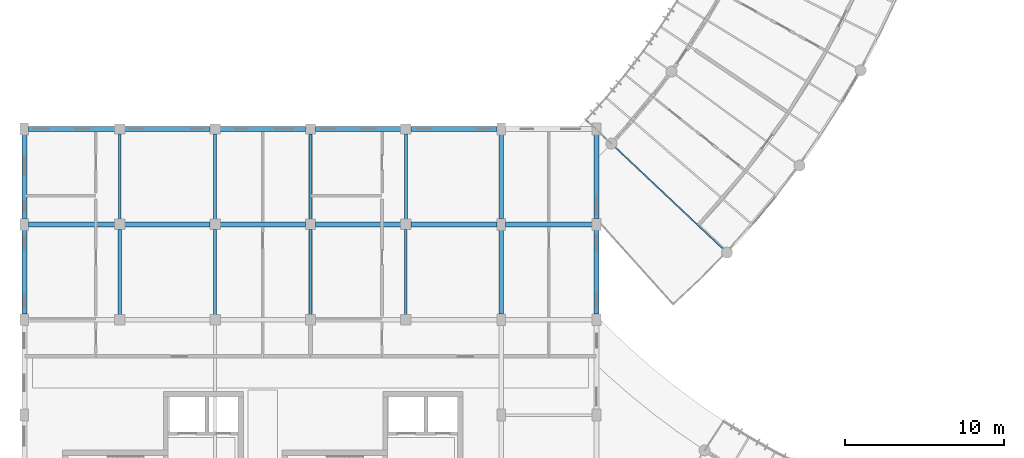
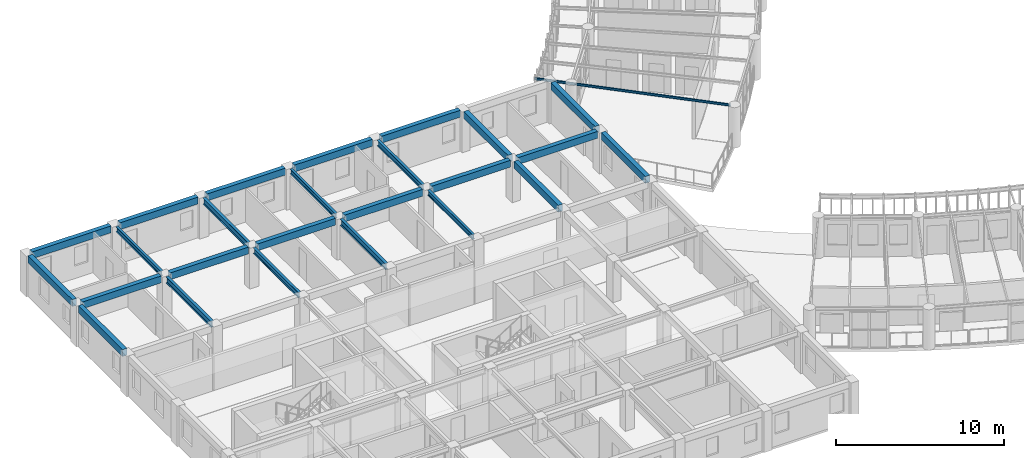
# One storey, part 9 of 100: 26 beams.
"""IFC4 building model written with IfcOpenShell, lengths in metres."""

import ifcopenshell
import ifcopenshell.guid

model = None  # the IFC model being written
_history = None  # IfcOwnerHistory: only IFC2X3 demands one
_inside = {}  # id of a spatial element -> (the spatial element, [elements in it])
_under = {}  # id of a project, library or spatial element -> (it, [spatial elements below it])
_declared = {}  # id of a project -> (the project, [libraries it declares])
_typed = {}  # id of a type object -> (the type object, [elements of that type])
_made_of = {}  # id of a material, layer set ... -> (it, [elements and type objects made of it])


def new_model(schema):
    """Start an empty IFC model of exactly this schema.

    Asked for "IFC4X3", IfcOpenShell would pick the latest addendum, in which some entities
    have other attributes; the version numbers below select the first issue.
    IFC2X3 requires an IfcOwnerHistory on every rooted entity: one is made here for all.
    """
    global model, _history
    if schema == "IFC4X3":
        model = ifcopenshell.file(schema_version=(4, 3, 0, 0))
    else:
        model = ifcopenshell.file(schema=schema)
    _inside.clear()
    _under.clear()
    _declared.clear()
    _typed.clear()
    _made_of.clear()
    _history = None
    if model.schema == "IFC2X3":
        org = make("IfcOrganization", Name="unknown")
        user = make(
            "IfcPersonAndOrganization",
            ThePerson=make("IfcPerson", FamilyName="unknown"),
            TheOrganization=org,
        )
        app = make(
            "IfcApplication",
            ApplicationDeveloper=org,
            Version="unknown",
            ApplicationFullName="unknown",
            ApplicationIdentifier="unknown",
        )
        _history = make(
            "IfcOwnerHistory",
            OwningUser=user,
            OwningApplication=app,
            ChangeAction="ADDED",
            CreationDate=0,
        )
    return model


def make(cls, **values):
    """One entity of the class cls with the attributes given. An attribute that is None is left unset."""
    return model.create_entity(
        cls, **{name: value for name, value in values.items() if value is not None}
    )


def rooted(cls, **values):
    """An entity with a GlobalId (a new one), such as an element, a storey or a relation."""
    return make(cls, GlobalId=ifcopenshell.guid.new(), OwnerHistory=_history, **values)


def si_unit(unit_type, name, prefix=None):
    """IfcSIUnit, for example si_unit("LENGTHUNIT", "METRE", prefix="MILLI")."""
    return make("IfcSIUnit", UnitType=unit_type, Prefix=prefix, Name=name)


def assignment(units):
    """IfcUnitAssignment: the units of a project."""
    return None if units is None else make("IfcUnitAssignment", Units=units)


def point(xyz):
    """IfcCartesianPoint."""
    return None if xyz is None else make("IfcCartesianPoint", Coordinates=xyz)


def direction(xyz):
    """IfcDirection."""
    return None if xyz is None else make("IfcDirection", DirectionRatios=xyz)


def frame(location, z_axis=None, x_axis=None):
    """IfcAxis2Placement3D, a coordinate frame: its origin and axes. An axis left out is left unset."""
    return make(
        "IfcAxis2Placement3D",
        Location=point(location),
        Axis=direction(z_axis),
        RefDirection=direction(x_axis),
    )


def frame_2d(location, x_axis=None):
    """IfcAxis2Placement2D, a coordinate frame in the plane: its origin and x axis."""
    return make(
        "IfcAxis2Placement2D", Location=point(location), RefDirection=direction(x_axis)
    )


def origin():
    """The frame at (0, 0, 0) with its axes left unset."""
    return frame((0.0, 0.0, 0.0))


def origin_2d():
    """The frame at (0, 0) in the plane with its x axis left unset."""
    return frame_2d((0.0, 0.0))


def place(relative_to, where):
    """IfcLocalPlacement: puts the frame where relative to a parent placement (None: the world)."""
    return make(
        "IfcLocalPlacement", PlacementRelTo=relative_to, RelativePlacement=where
    )


def context(
    kind, dimensions, precision=None, world=None, true_north=None, identifier=None
):
    """IfcGeometricRepresentationContext, for example the 3D "Model" context."""
    return make(
        "IfcGeometricRepresentationContext",
        ContextIdentifier=identifier,
        ContextType=kind,
        CoordinateSpaceDimension=dimensions,
        Precision=precision,
        WorldCoordinateSystem=world,
        TrueNorth=true_north,
    )


def subcontext(parent, identifier, kind, view, scale=None):
    """IfcGeometricRepresentationSubContext, for example "Body" below "Model"."""
    return make(
        "IfcGeometricRepresentationSubContext",
        ContextIdentifier=identifier,
        ContextType=kind,
        ParentContext=parent,
        TargetScale=scale,
        TargetView=view,
    )


def project(units=None, contexts=None):
    """IfcProject with its units and contexts."""
    return rooted(
        "IfcProject",
        Name="project",
        RepresentationContexts=contexts,
        UnitsInContext=assignment(units),
    )


def spatial(cls, under=None, at=None, **own):
    """A site, building, storey or space (cls), placed at a placement, below another one or the project."""
    s = rooted(cls, ObjectPlacement=at, **own)
    if under is not None:
        _under.setdefault(under.id(), (under, []))[1].append(s)
    return s


def profile(cls, at=None, kind="AREA", **sizes):
    """A parametric profile (cls). Its sizes go by their IFC names, for example OverallWidth=200.0."""
    return make(cls, ProfileType=kind, Position=at, **sizes)


def rectangle(**sizes):
    """IfcRectangleProfileDef."""
    return profile("IfcRectangleProfileDef", **sizes)


def i_section(**sizes):
    """IfcIShapeProfileDef."""
    return profile("IfcIShapeProfileDef", **sizes)


def extrude(swept, where, along, depth):
    """IfcExtrudedAreaSolid: the profile swept, set in the frame where, extruded along a direction by depth."""
    return make(
        "IfcExtrudedAreaSolid",
        SweptArea=swept,
        Position=where,
        ExtrudedDirection=direction(along),
        Depth=depth,
    )


def shape(context_of_items, identifier, shape_type, items):
    """IfcShapeRepresentation: the items that make up one representation, for example the "Body"."""
    return make(
        "IfcShapeRepresentation",
        ContextOfItems=context_of_items,
        RepresentationIdentifier=identifier,
        RepresentationType=shape_type,
        Items=items,
    )


def material(Name=None, Category=None):
    """IfcMaterial."""
    return make("IfcMaterial", Name=Name, Category=Category)


def material_profile(
    of_material, cross_section, Name=None, Category=None, Priority=None
):
    """IfcMaterialProfile: a cross section and its material."""
    return make(
        "IfcMaterialProfile",
        Name=Name,
        Material=of_material,
        Profile=cross_section,
        Priority=Priority,
        Category=Category,
    )


def profile_set(profiles, Name=None, composite=None):
    """IfcMaterialProfileSet."""
    return make(
        "IfcMaterialProfileSet",
        Name=Name,
        MaterialProfiles=profiles,
        CompositeProfile=composite,
    )


def made_of(thing, what):
    """Note that an element or type object is made of a material, layer set ...; save() writes the relation."""
    if what is not None:
        _made_of.setdefault(what.id(), (what, []))[1].append(thing)
    return thing


def type_object(cls, material=None, **own):
    """A type object (cls), such as IfcWallType, which elements share."""
    return made_of(rooted(cls, **own), material)


def element(
    cls,
    number,
    at=None,
    inside=None,
    cuts=None,
    type_object=None,
    material=None,
    context=None,
    identifier="Body",
    shape_type=None,
    held_by="IfcProductDefinitionShape",
    body=None,
    shapes=None,
    **own,
):
    """One element of the class cls, such as IfcWall. Its Tag is "e" and its number.

    at: its placement. inside: the storey or other place that contains it. cuts: it is an
    opening in that element (IfcRelVoidsElement). A single representation is given by context,
    identifier, shape_type and body (its items); several are given by shapes. held_by: the class
    of the entity that holds the representations. save() writes the other relations.
    """
    e = rooted(cls, Tag="e%d" % number, ObjectPlacement=at, **own)
    if body is not None:
        shapes = [shape(context, identifier, shape_type, body)]
    if shapes is not None:
        e.Representation = make(held_by, Representations=shapes)
    if inside is not None:
        _inside.setdefault(inside.id(), (inside, []))[1].append(e)
    if cuts is not None:
        rooted(
            "IfcRelVoidsElement", RelatingBuildingElement=cuts, RelatedOpeningElement=e
        )
    if type_object is not None:
        _typed.setdefault(type_object.id(), (type_object, []))[1].append(e)
    return made_of(e, material)


def aggregate(whole, parts):
    """IfcRelAggregates: a whole, such as a stair, and the parts it consists of."""
    return rooted("IfcRelAggregates", RelatingObject=whole, RelatedObjects=parts)


def save(model, path):
    """Write the relations noted so far, then the file.

    IfcRelAggregates (storeys below a building ...), IfcRelContainedInSpatialStructure (elements
    in a storey), IfcRelDefinesByType, IfcRelAssociatesMaterial and IfcRelDeclares: one each for
    every whole, place, type object, material and project.
    """
    for whole, parts in _under.values():
        aggregate(whole, parts)
    for where, things in _inside.values():
        rooted(
            "IfcRelContainedInSpatialStructure",
            RelatedElements=things,
            RelatingStructure=where,
        )
    for kind, things in _typed.values():
        rooted("IfcRelDefinesByType", RelatedObjects=things, RelatingType=kind)
    for what, things in _made_of.values():
        rooted("IfcRelAssociatesMaterial", RelatedObjects=things, RelatingMaterial=what)
    for by, libraries in _declared.values():
        rooted("IfcRelDeclares", RelatingContext=by, RelatedDefinitions=libraries)
    model.write(path)


model = new_model("IFC4")

# Units and contexts
model_context = context("Model", 3, precision=1e-05, world=origin(), true_north=direction((0.0, 1.0)))
body_context = subcontext(model_context, "Body", "Model", "MODEL_VIEW")
ifc_project = project(units=[si_unit("LENGTHUNIT", "METRE"), si_unit("AREAUNIT", "SQUARE_METRE"), si_unit("VOLUMEUNIT", "CUBIC_METRE"), si_unit("PLANEANGLEUNIT", "RADIAN"), si_unit("MASSUNIT", "GRAM", prefix="KILO"), si_unit("POWERUNIT", "WATT"), si_unit("THERMODYNAMICTEMPERATUREUNIT", "KELVIN")], contexts=[model_context])

# Site, building, storey
site_placement = place(None, origin())
site = spatial("IfcSite", under=ifc_project, at=site_placement, CompositionType="ELEMENT")
building_placement = place(site_placement, origin())
building = spatial("IfcBuilding", under=site, at=building_placement, Name="Ruvembo Vaulted Housing Court", CompositionType="ELEMENT")
storey_placement = place(building_placement, frame((0.0, 0.0, 10.89990234375)))
storey = spatial("IfcBuildingStorey", under=building, at=storey_placement, Name="L03", CompositionType="ELEMENT", Elevation=10.89990234375)

# Beams
ifc_material_1 = material(Name="Steel S355J2", Category="steel")
ifc_material_profile_1 = material_profile(ifc_material_1, i_section(OverallWidth=0.08203125, OverallDepth=0.159912109375, WebThickness=0.0048828125, FlangeThickness=0.00732421875, FilletRadius=0.009033203125, at=origin_2d()), Name="IPE 160")
ifc_profile_set_1 = profile_set([ifc_material_profile_1], Name="Steel S355J2")
beam_type_1 = type_object("IfcBeamType", Name="BM-ST-IPE160", PredefinedType="JOIST", material=ifc_profile_set_1)
beam_1_placement = place(storey_placement, frame((44.040283203125, 34.377197265625, 2.860107421875), z_axis=(-0.727715212014, 0.685879413748, 0.0), x_axis=(-0.685879413748, -0.727715212014, 0.0)))
element("IfcBeam", 1, at=beam_1_placement, inside=storey, type_object=beam_type_1, Name="Scoop SC1 L03 Radial Steel Joist 0", PredefinedType="JOIST", context=body_context, shape_type="SweptSolid", body=[
    extrude(i_section(OverallWidth=0.08203125, OverallDepth=0.159912109375, WebThickness=0.0048828125, FlangeThickness=0.00732421875, FilletRadius=0.009033203125, at=origin_2d()), origin(), (0.0, 0.0, 1.0), 12.009765625),
])
ifc_material_profile_2 = material_profile(ifc_material_1, i_section(OverallWidth=0.169921875, OverallDepth=0.360107421875, WebThickness=0.008056640625, FlangeThickness=0.0126953125, FilletRadius=0.01806640625, at=origin_2d()), Name="IPE 360")
ifc_profile_set_2 = profile_set([ifc_material_profile_2], Name="Steel S355J2")
beam_type_2 = type_object("IfcBeamType", Name="BM-ST-IPE360", PredefinedType="BEAM", material=ifc_profile_set_2)
for number, where, z_axis, x_axis, name in (
    (2, (6.0, 36.31005859375, 2.74609375), (0.0, 1.0, 0.0), (-1.0, 0.0, 0.0), "L03 Grid Beam Y #1866"),
    (3, (18.0, 36.31005859375, 2.74609375), (0.0, 1.0, 0.0), (-1.0, 0.0, 0.0), "L03 Grid Beam Y #1875"),
    (4, (24.0, 30.31005859375, 2.74609375), (0.0, 1.0, 0.0), (-1.0, 0.0, 0.0), "L03 Grid Beam Y #1878"),
):
    element("IfcBeam", number, at=place(storey_placement, frame(where, z_axis=z_axis, x_axis=x_axis)), inside=storey, type_object=beam_type_2, Name=name, PredefinedType="BEAM", context=body_context, shape_type="SweptSolid", body=[
        extrude(i_section(OverallWidth=0.169921875, OverallDepth=0.360107421875, WebThickness=0.008056640625, FlangeThickness=0.0126953125, FilletRadius=0.01806640625, at=origin_2d()), origin(), (0.0, 0.0, 1.0), 5.3798828125),
    ])
ifc_material_profile_3 = material_profile(ifc_material_1, i_section(OverallWidth=0.179931640625, OverallDepth=0.39990234375, WebThickness=0.008544921875, FlangeThickness=0.013427734375, FilletRadius=0.02099609375, at=origin_2d()), Name="IPE 400")
ifc_profile_set_3 = profile_set([ifc_material_profile_3], Name="Steel S355J2")
beam_type_3 = type_object("IfcBeamType", Name="BM-ST-IPE400", PredefinedType="BEAM", material=ifc_profile_set_3)
for number, where, z_axis, x_axis, name in (
    (5, (12.0, 30.31005859375, 2.72607421875), (0.0, 1.0, 0.0), (-1.0, 0.0, 0.0), "L03 Grid Beam Y #1870"),
    (6, (24.0, 36.31005859375, 2.72607421875), (0.0, 1.0, 0.0), (-1.0, 0.0, 0.0), "L03 Grid Beam Y #1879"),
):
    element("IfcBeam", number, at=place(storey_placement, frame(where, z_axis=z_axis, x_axis=x_axis)), inside=storey, type_object=beam_type_3, Name=name, PredefinedType="BEAM", context=body_context, shape_type="SweptSolid", body=[
        extrude(i_section(OverallWidth=0.179931640625, OverallDepth=0.39990234375, WebThickness=0.008544921875, FlangeThickness=0.013427734375, FilletRadius=0.02099609375, at=origin_2d()), origin(), (0.0, 0.0, 1.0), 5.3798828125),
    ])
ifc_material_profile_4 = material_profile(ifc_material_1, i_section(OverallWidth=0.18994140625, OverallDepth=0.449951171875, WebThickness=0.009521484375, FlangeThickness=0.0146484375, FilletRadius=0.02099609375, at=origin_2d()), Name="IPE 450")
ifc_profile_set_4 = profile_set([ifc_material_profile_4], Name="Steel S355J2")
beam_type_4 = type_object("IfcBeamType", Name="BM-ST-IPE450", PredefinedType="BEAM", material=ifc_profile_set_4)
for number, where, z_axis, x_axis, name in (
    (7, (6.0, 30.31005859375, 2.701171875), (0.0, 1.0, 0.0), (-1.0, 0.0, 0.0), "L03 Grid Beam Y #1865"),
    (8, (12.0, 36.31005859375, 2.701171875), (0.0, 1.0, 0.0), (-1.0, 0.0, 0.0), "L03 Grid Beam Y #1871"),
    (9, (18.0, 30.31005859375, 2.701171875), (0.0, 1.0, 0.0), (-1.0, 0.0, 0.0), "L03 Grid Beam Y #1874"),
):
    element("IfcBeam", number, at=place(storey_placement, frame(where, z_axis=z_axis, x_axis=x_axis)), inside=storey, type_object=beam_type_4, Name=name, PredefinedType="BEAM", context=body_context, shape_type="SweptSolid", body=[
        extrude(i_section(OverallWidth=0.18994140625, OverallDepth=0.449951171875, WebThickness=0.009521484375, FlangeThickness=0.0146484375, FilletRadius=0.02099609375, at=origin_2d()), origin(), (0.0, 0.0, 1.0), 5.3798828125),
    ])
ifc_material_2 = material(Name="Concrete C35/45", Category="concrete")
ifc_material_profile_5 = material_profile(ifc_material_2, rectangle(XDim=0.300048828125, YDim=0.5, at=origin_2d()), Name="RC 300x500")
ifc_profile_set_5 = profile_set([ifc_material_profile_5], Name="Concrete C35/45")
beam_type_5 = type_object("IfcBeamType", Name="SP-RC-300x500", PredefinedType="SPANDREL", material=ifc_profile_set_5)
beam_2_placement = place(storey_placement, frame((0.260009765625, 36.0, 2.710205078125), z_axis=(1.0, 0.0, 0.0), x_axis=(0.0, 1.0, 0.0)))
element("IfcBeam", 10, at=beam_2_placement, inside=storey, type_object=beam_type_5, Name="L03 Grid Beam X #1765", PredefinedType="SPANDREL", context=body_context, shape_type="SweptSolid", body=[
    extrude(rectangle(XDim=0.300048828125, YDim=0.5, at=origin_2d()), origin(), (0.0, 0.0, 1.0), 5.429931640625),
])
for number, where, z_axis, x_axis, name in (
    (11, (6.31005859375, 36.0, 2.710205078125), (1.0, 0.0, 0.0), (0.0, 1.0, 0.0), "L03 Grid Beam X #1766"),
    (12, (12.31005859375, 36.0, 2.710205078125), (1.0, 0.0, 0.0), (0.0, 1.0, 0.0), "L03 Grid Beam X #1767"),
    (13, (18.31005859375, 36.0, 2.710205078125), (1.0, 0.0, 0.0), (0.0, 1.0, 0.0), "L03 Grid Beam X #1768"),
):
    element("IfcBeam", number, at=place(storey_placement, frame(where, z_axis=z_axis, x_axis=x_axis)), inside=storey, type_object=beam_type_5, Name=name, PredefinedType="SPANDREL", context=body_context, shape_type="SweptSolid", body=[
        extrude(rectangle(XDim=0.300048828125, YDim=0.5, at=origin_2d()), origin(), (0.0, 0.0, 1.0), 5.3798828125),
    ])
beam_3_placement = place(storey_placement, frame((24.31005859375, 36.0, 2.710205078125), z_axis=(1.0, 0.0, 0.0), x_axis=(0.0, 1.0, 0.0)))
element("IfcBeam", 14, at=beam_3_placement, inside=storey, type_object=beam_type_5, Name="L03 Grid Beam X #1769", PredefinedType="SPANDREL", context=body_context, shape_type="SweptSolid", body=[
    extrude(rectangle(XDim=0.300048828125, YDim=0.5, at=origin_2d()), origin(), (0.0, 0.0, 1.0), 5.429931640625),
])
beam_4_placement = place(storey_placement, frame((30.260009765625, 36.0, 2.710205078125), z_axis=(1.0, 0.0, 0.0), x_axis=(0.0, 1.0, 0.0)))
element("IfcBeam", 15, at=beam_4_placement, inside=storey, type_object=beam_type_5, Name="L03 Grid Beam X #1770", PredefinedType="SPANDREL", context=body_context, shape_type="SweptSolid", body=[
    extrude(rectangle(XDim=0.300048828125, YDim=0.5, at=origin_2d()), origin(), (0.0, 0.0, 1.0), 5.47998046875),
])
beam_5_placement = place(storey_placement, frame((0.260009765625, 42.0, 2.710205078125), z_axis=(1.0, 0.0, 0.0), x_axis=(0.0, 1.0, 0.0)))
element("IfcBeam", 16, at=beam_5_placement, inside=storey, type_object=beam_type_5, Name="L03 Grid Beam X #1777", PredefinedType="SPANDREL", context=body_context, shape_type="SweptSolid", body=[
    extrude(rectangle(XDim=0.300048828125, YDim=0.5, at=origin_2d()), origin(), (0.0, 0.0, 1.0), 5.429931640625),
])
for number, where, z_axis, x_axis, name in (
    (17, (6.31005859375, 42.0, 2.710205078125), (1.0, 0.0, 0.0), (0.0, 1.0, 0.0), "L03 Grid Beam X #1778"),
    (18, (12.31005859375, 42.0, 2.710205078125), (1.0, 0.0, 0.0), (0.0, 1.0, 0.0), "L03 Grid Beam X #1779"),
    (19, (18.31005859375, 42.0, 2.710205078125), (1.0, 0.0, 0.0), (0.0, 1.0, 0.0), "L03 Grid Beam X #1780"),
):
    element("IfcBeam", number, at=place(storey_placement, frame(where, z_axis=z_axis, x_axis=x_axis)), inside=storey, type_object=beam_type_5, Name=name, PredefinedType="SPANDREL", context=body_context, shape_type="SweptSolid", body=[
        extrude(rectangle(XDim=0.300048828125, YDim=0.5, at=origin_2d()), origin(), (0.0, 0.0, 1.0), 5.3798828125),
    ])
beam_6_placement = place(storey_placement, frame((24.31005859375, 42.0, 2.710205078125), z_axis=(1.0, 0.0, 0.0), x_axis=(0.0, 1.0, 0.0)))
element("IfcBeam", 20, at=beam_6_placement, inside=storey, type_object=beam_type_5, Name="L03 Grid Beam X #1781", PredefinedType="SPANDREL", context=body_context, shape_type="SweptSolid", body=[
    extrude(rectangle(XDim=0.300048828125, YDim=0.5, at=origin_2d()), origin(), (0.0, 0.0, 1.0), 5.429931640625),
])
for number, where, z_axis, x_axis, name in (
    (21, (0.0, 30.360107421875, 2.710205078125), (0.0, 1.0, 0.0), (-1.0, 0.0, 0.0), "L03 Grid Beam Y #1861"),
    (22, (0.0, 36.360107421875, 2.710205078125), (0.0, 1.0, 0.0), (-1.0, 0.0, 0.0), "L03 Grid Beam Y #1862"),
    (23, (30.0, 30.360107421875, 2.710205078125), (0.0, 1.0, 0.0), (-1.0, 0.0, 0.0), "L03 Grid Beam Y #1884"),
    (24, (30.0, 36.360107421875, 2.710205078125), (0.0, 1.0, 0.0), (-1.0, 0.0, 0.0), "L03 Grid Beam Y #1885"),
    (25, (36.0, 30.360107421875, 2.710205078125), (0.0, 1.0, 0.0), (-1.0, 0.0, 0.0), "L03 Grid Beam Y #1890"),
    (26, (36.0, 36.360107421875, 2.710205078125), (0.0, 1.0, 0.0), (-1.0, 0.0, 0.0), "L03 Grid Beam Y #1891"),
):
    element("IfcBeam", number, at=place(storey_placement, frame(where, z_axis=z_axis, x_axis=x_axis)), inside=storey, type_object=beam_type_5, Name=name, PredefinedType="SPANDREL", context=body_context, shape_type="SweptSolid", body=[
        extrude(rectangle(XDim=0.300048828125, YDim=0.5, at=origin_2d()), origin(), (0.0, 0.0, 1.0), 5.27978515625),
    ])

save(model, "model.ifc")
